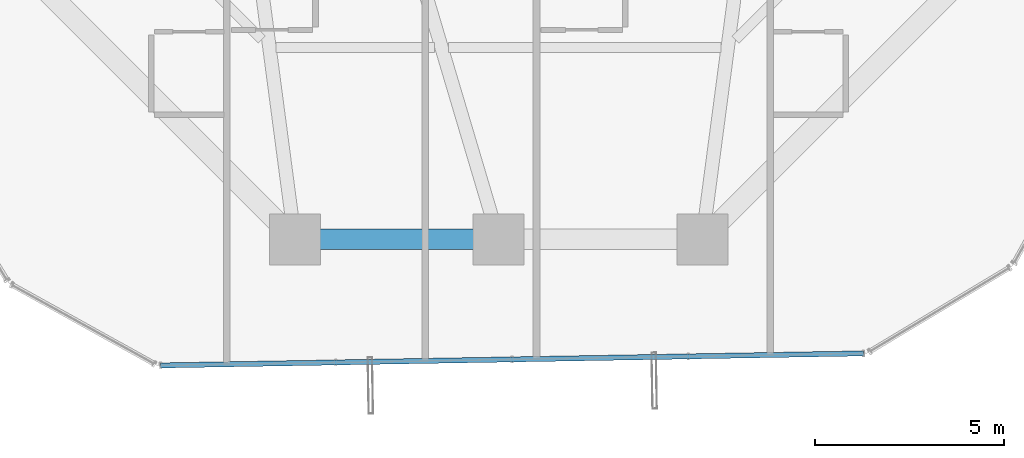
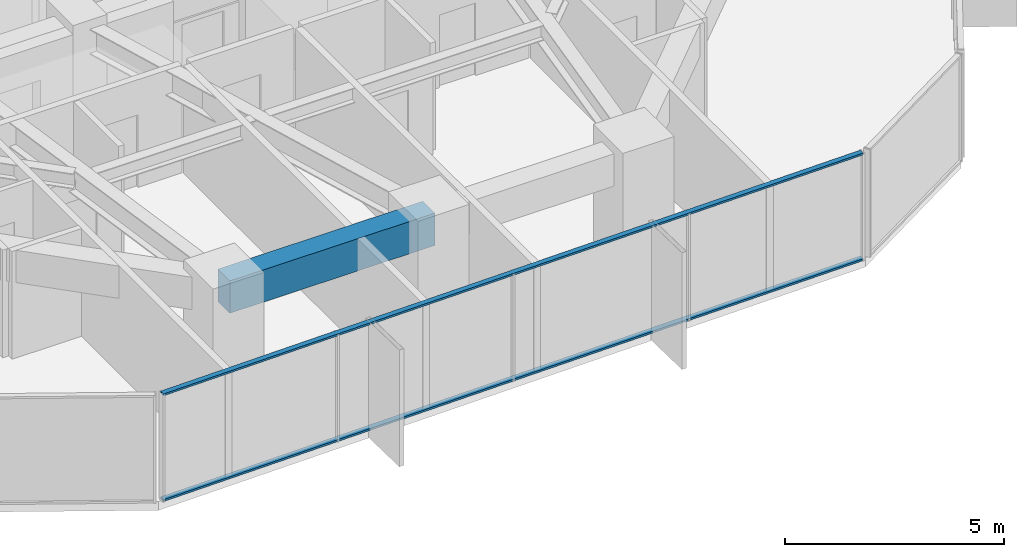
# One storey, part 7 of 39: 2 members, 1 beam, 1 element without a shape of its own.
"""IFC4 building model written with IfcOpenShell, lengths in metres."""

from ifc_helpers import new_model, si_unit, direction, frame, origin, origin_2d, place, context, subcontext, project, spatial, rectangle, hollow_rectangle, extrude, source, transform, mapped, material, layer, layer_set, material_profile, profile_set, type_object, element, aggregate, save


model = new_model("IFC4")

# Units and contexts
model_context = context("Model", 3, precision=1e-05, world=origin(), true_north=direction((0.0, 1.0)))
body_context = subcontext(model_context, "Body", "Model", "MODEL_VIEW")
ifc_project = project(units=[si_unit("LENGTHUNIT", "METRE"), si_unit("AREAUNIT", "SQUARE_METRE"), si_unit("VOLUMEUNIT", "CUBIC_METRE"), si_unit("PLANEANGLEUNIT", "RADIAN"), si_unit("MASSUNIT", "GRAM", prefix="KILO")], contexts=[model_context])

# Site, building, storey
site_placement = place(None, origin())
site = spatial("IfcSite", under=ifc_project, at=site_placement, CompositionType="ELEMENT")
building_placement = place(site_placement, origin())
building = spatial("IfcBuilding", under=site, at=building_placement, Name="Veraguas Prism Commons", CompositionType="ELEMENT")
storey_placement = place(building_placement, frame((0.0, 0.0, 27.300048828125)))
storey = spatial("IfcBuildingStorey", under=building, at=storey_placement, Name="L06", CompositionType="ELEMENT", Elevation=27.300048828125)

# Beam
ifc_material_1 = material(Name="Concrete C50/60", Category="concrete")
ifc_material_profile_1 = material_profile(ifc_material_1, rectangle(XDim=0.550048828125, YDim=0.89990234375, at=origin_2d()), Name="RC550X900")
ifc_profile_set_1 = profile_set([ifc_material_profile_1], Name="Concrete C50/60")
beam_type = type_object("IfcBeamType", Name="Perimeter Spandrel Lower RC 550x900", PredefinedType="SPANDREL", material=ifc_profile_set_1)
beam_placement = place(storey_placement, frame((18.60009765625, 6.39990234375, 2.550048828125), z_axis=(1.0, 0.0, 0.0), x_axis=(0.0, 1.0, 0.0)))
element("IfcBeam", 1, at=beam_placement, inside=storey, type_object=beam_type, Name="Perimeter Spandrel Beam L06-SP10", PredefinedType="SPANDREL", context=body_context, shape_type="SweptSolid", body=[
    extrude(rectangle(XDim=0.550048828125, YDim=0.89990234375, at=origin_2d()), origin(), (0.0, 0.0, 1.0), 5.39990234375),
])

# Curtain wall, members
ifc_material_2 = material(Name="Anodised aluminium EN AW-6063 T6", Category="aluminium")
ifc_layer = layer(ifc_material_2, 0.169921875, Name="Unitised Flush Curtain Wall Zone 1", Category="aluminium")
ifc_layer_set = layer_set([ifc_layer], Name="Anodised aluminium EN AW-6063 T6")
curtain_wall_type = type_object("IfcCurtainWallType", Name="Unitised Flush Curtain Wall Zone 1", PredefinedType="NOTDEFINED", material=ifc_layer_set)
curtain_wall_placement = place(storey_placement, origin())
curtain_wall = element("IfcCurtainWall", 2, at=curtain_wall_placement, inside=storey, type_object=curtain_wall_type, Name="Tower Facade Curtain Wall L06-F5", PredefinedType="NOTDEFINED")
ifc_material_profile_2 = material_profile(ifc_material_2, hollow_rectangle(XDim=0.054931640625, YDim=0.135009765625, WallThickness=0.0029296875, at=origin_2d()), Name="AL55X135X3")
ifc_profile_set_2 = profile_set([ifc_material_profile_2], Name="Anodised aluminium EN AW-6063 T6")
member_type = type_object("IfcMemberType", Name="Curtain Wall Transom Standard AL 55x135x3", PredefinedType="USERDEFINED", material=ifc_profile_set_2)
shared_shape = source(origin(), body_context, "Body", "SweptSolid", [
    extrude(hollow_rectangle(XDim=0.054931640625, YDim=0.135009765625, WallThickness=0.0029296875, at=origin_2d()), origin(), (0.0, 0.0, 1.0), 18.623779296875),
])
member_1_placement = place(storey_placement, frame((15.044921875, 3.05908203125, 0.02734375), z_axis=(0.999853659202, 0.017107313631, 0.0), x_axis=(0.0, 0.0, 1.0)))
member_1 = element("IfcMember", 3, at=member_1_placement, type_object=member_type, Name="CW-Z1 Transom 1", ObjectType="TRANSOM", PredefinedType="USERDEFINED", context=body_context, shape_type="MappedRepresentation", body=[
    mapped(shared_shape, transform((0.0, 0.0, 0.0), scale=1.0)),
])
member_2_placement = place(storey_placement, frame((15.044921875, 3.05908203125, 2.972412109375), z_axis=(0.999853659202, 0.017107313631, 0.0), x_axis=(0.0, 0.0, 1.0)))
member_2 = element("IfcMember", 4, at=member_2_placement, type_object=member_type, Name="CW-Z1 Transom 2", ObjectType="TRANSOM", PredefinedType="USERDEFINED", context=body_context, shape_type="MappedRepresentation", body=[
    mapped(shared_shape, transform((0.0, 0.0, 0.0), scale=1.0)),
])
aggregate(curtain_wall, [member_1, member_2])

save(model, "model.ifc")
